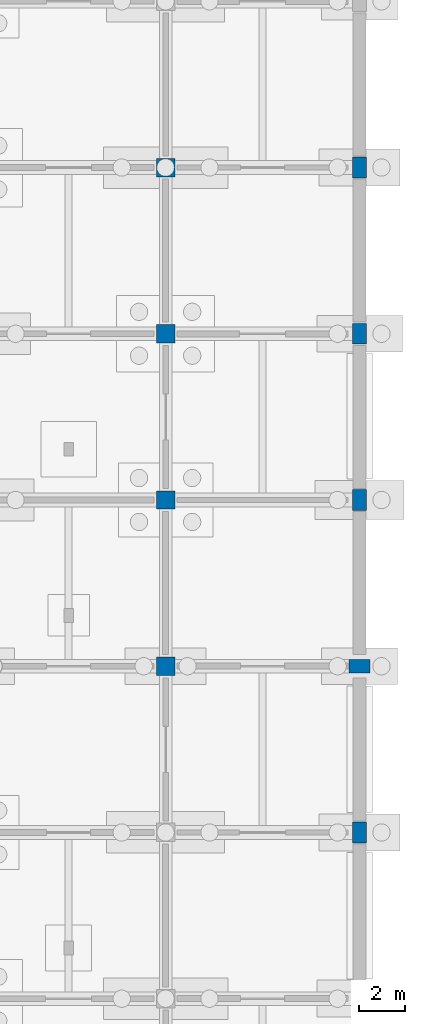
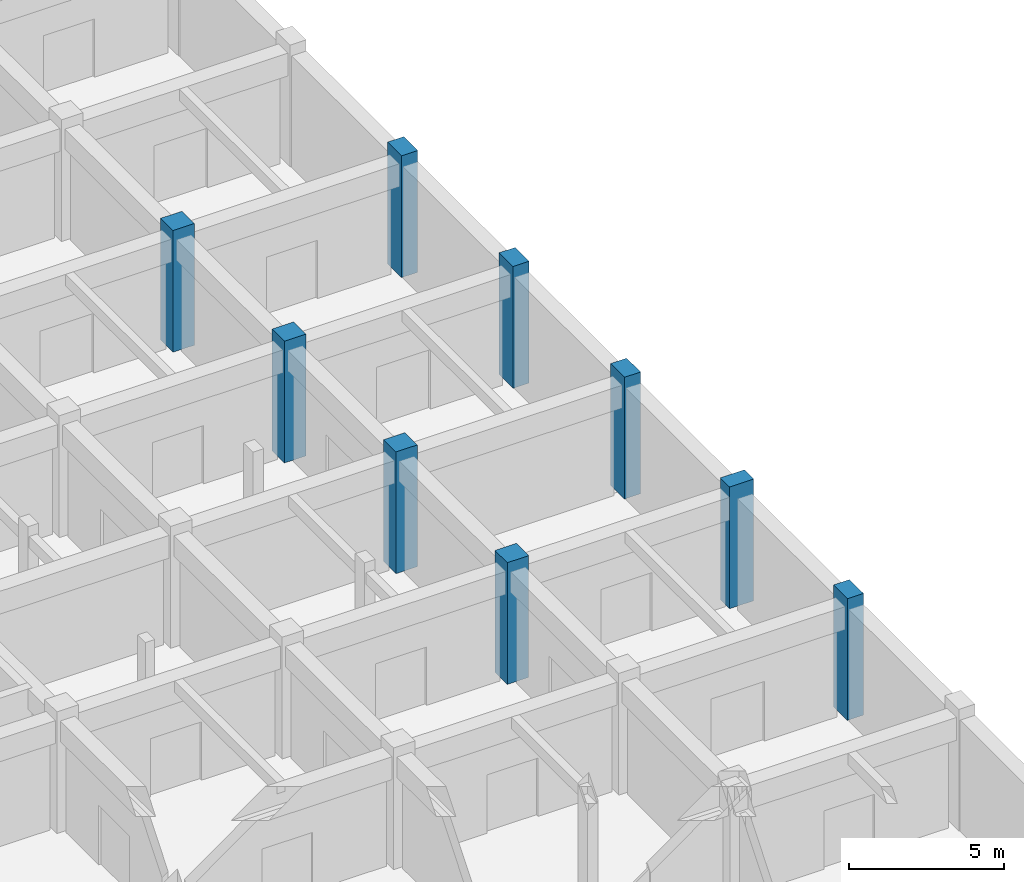
# One storey, part 15 of 38: 9 columns.
"""IFC4 building model written with IfcOpenShell, lengths in metres."""

from ifc_helpers import new_model, si_unit, derived_unit, direction, frame, origin, origin_2d, place, context, subcontext, project, spatial, rectangle, extrude, material, material_profile, profile_set, type_object, element, save


model = new_model("IFC4")

# Units and contexts
model_context = context("Model", 3, precision=1e-05, world=origin(), true_north=direction((0.0, 1.0)))
body_context = subcontext(model_context, "Body", "Model", "MODEL_VIEW")
ifc_project = project(units=[si_unit("LENGTHUNIT", "METRE"), si_unit("AREAUNIT", "SQUARE_METRE"), si_unit("VOLUMEUNIT", "CUBIC_METRE"), si_unit("PLANEANGLEUNIT", "RADIAN"), si_unit("MASSUNIT", "GRAM", prefix="KILO"), derived_unit("THERMALTRANSMITTANCEUNIT", [(si_unit("MASSUNIT", "GRAM", prefix="KILO"), 1), (si_unit("TIMEUNIT", "SECOND"), -3), (si_unit("THERMODYNAMICTEMPERATUREUNIT", "KELVIN"), -1)])], contexts=[model_context])

# Site, building, storey
site_placement = place(None, origin())
site = spatial("IfcSite", under=ifc_project, at=site_placement, CompositionType="ELEMENT")
building_placement = place(site_placement, origin())
building = spatial("IfcBuilding", under=site, at=building_placement, Name="Veldstrom Oceanarium and Marine Research Institute", CompositionType="ELEMENT")
storey_placement = place(building_placement, frame((0.0, 0.0, -9.60009765625)))
storey = spatial("IfcBuildingStorey", under=building, at=storey_placement, Name="B02", CompositionType="ELEMENT", Elevation=-9.60009765625)

# Columns
ifc_material_1 = material(Name="Concrete C50/60", Category="concrete")
ifc_material_profile_1 = material_profile(ifc_material_1, rectangle(XDim=0.800048828125, YDim=0.800048828125, at=origin_2d()), Name="RC-COL-800x800")
ifc_profile_set_1 = profile_set([ifc_material_profile_1], Name="Concrete C50/60")
column_type_1 = type_object("IfcColumnType", Name="STR-COL-C04", PredefinedType="COLUMN", material=ifc_profile_set_1)
for number, where, z_axis, x_axis, name in (
    (1, (159.60009765625, 72.0, 0.0), (0.0, 0.0, 1.0), (1.0, 0.0, 0.0), "Column C04 20/L B02"),
    (2, (159.60009765625, 79.199951171875, 0.0), (0.0, 0.0, 1.0), (1.0, 0.0, 0.0), "Column C04 20/M B02"),
    (3, (159.60009765625, 86.39990234375, 0.0), (0.0, 0.0, 1.0), (1.0, 0.0, 0.0), "Column C04 20/N B02"),
    (4, (159.60009765625, 93.60009765625, 0.0), (0.0, 0.0, 1.0), (1.0, 0.0, 0.0), "Column C04 20/P B02"),
):
    element("IfcColumn", number, at=place(storey_placement, frame(where, z_axis=z_axis, x_axis=x_axis)), inside=storey, type_object=column_type_1, Name=name, PredefinedType="COLUMN", context=body_context, shape_type="SweptSolid", body=[
        extrude(rectangle(XDim=0.800048828125, YDim=0.800048828125, at=origin_2d()), origin(), (0.0, 0.0, 1.0), 4.800048828125),
    ])
ifc_material_2 = material(Name="Concrete C50/60", Category="concrete")
ifc_material_profile_2 = material_profile(ifc_material_2, rectangle(XDim=0.60009765625, YDim=0.89990234375, at=origin_2d()), Name="RC-COL-900x600")
ifc_profile_set_2 = profile_set([ifc_material_profile_2], Name="Concrete C50/60")
column_type_2 = type_object("IfcColumnType", Name="STR-COL-C11", PredefinedType="COLUMN", material=ifc_profile_set_2)
for number, where, z_axis, x_axis, name in (
    (5, (168.0, 64.800048828125, 0.0), (0.0, 0.0, 1.0), (1.0, 0.0, 0.0), "Column C11 21/K B02"),
    (6, (168.0, 72.0, 0.0), (0.0, 0.0, 1.0), (0.0, 1.0, 0.0), "Column C11 21/L B02"),
    (7, (168.0, 79.199951171875, 0.0), (0.0, 0.0, 1.0), (1.0, 0.0, 0.0), "Column C11 21/M B02"),
    (8, (168.0, 86.39990234375, 0.0), (0.0, 0.0, 1.0), (1.0, 0.0, 0.0), "Column C11 21/N B02"),
    (9, (168.0, 93.60009765625, 0.0), (0.0, 0.0, 1.0), (1.0, 0.0, 0.0), "Column C11 21/P B02"),
):
    element("IfcColumn", number, at=place(storey_placement, frame(where, z_axis=z_axis, x_axis=x_axis)), inside=storey, type_object=column_type_2, Name=name, PredefinedType="COLUMN", context=body_context, shape_type="SweptSolid", body=[
        extrude(rectangle(XDim=0.60009765625, YDim=0.89990234375, at=origin_2d()), origin(), (0.0, 0.0, 1.0), 4.800048828125),
    ])

save(model, "model.ifc")
